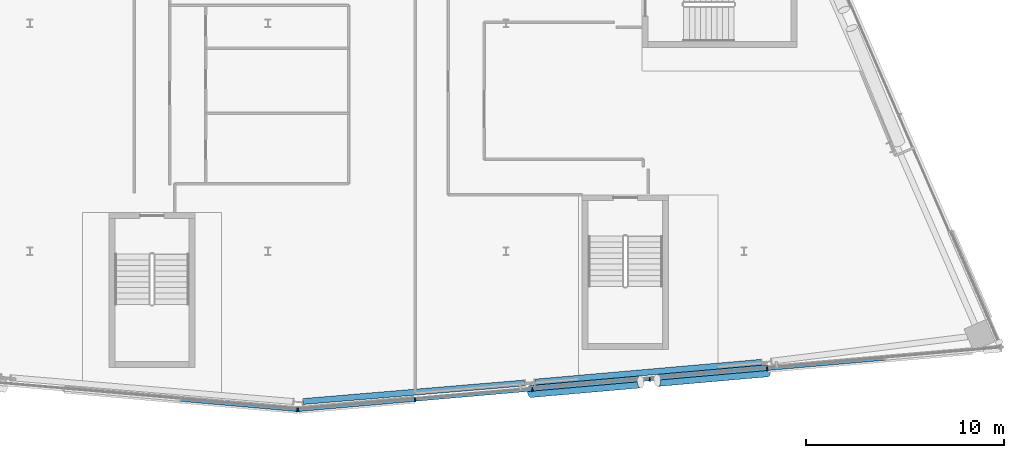
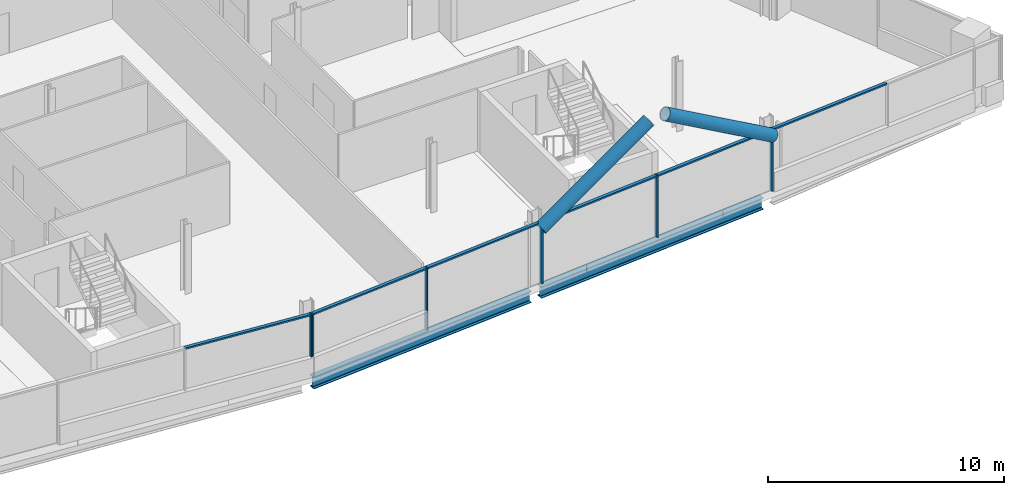
# One storey, part 8 of 25: 14 members, 2 beams, 2 elements without a shape of their own.
"""IFC4 building model written with IfcOpenShell, lengths in metres."""

from ifc_helpers import new_model, si_unit, direction, frame, origin, origin_2d, place, context, subcontext, project, spatial, rectangle, hollow_circle, i_section, extrude, material, material_profile, profile_set, type_object, element, aggregate, save


model = new_model("IFC4")

# Units and contexts
model_context = context("Model", 3, precision=1e-05, world=origin(), true_north=direction((0.0, 1.0)))
body_context = subcontext(model_context, "Body", "Model", "MODEL_VIEW")
ifc_project = project(units=[si_unit("LENGTHUNIT", "METRE"), si_unit("AREAUNIT", "SQUARE_METRE"), si_unit("VOLUMEUNIT", "CUBIC_METRE"), si_unit("PLANEANGLEUNIT", "RADIAN"), si_unit("MASSUNIT", "GRAM", prefix="KILO")], contexts=[model_context])

# Site, building, storey
site_placement = place(None, origin())
site = spatial("IfcSite", under=ifc_project, at=site_placement, CompositionType="ELEMENT")
building_placement = place(site_placement, origin())
building = spatial("IfcBuilding", under=site, at=building_placement, Name="Wharfspan Tower", CompositionType="ELEMENT")
storey_placement = place(building_placement, frame((0.0, 0.0, 239.5)))
storey = spatial("IfcBuildingStorey", under=building, at=storey_placement, Name="L60", CompositionType="ELEMENT", Elevation=239.5)

# Beams
ifc_material_1 = material(Name="Steel S355J2", Category="steel")
ifc_material_profile_1 = material_profile(ifc_material_1, i_section(OverallWidth=0.300049, OverallDepth=0.600098, WebThickness=0.015381, FlangeThickness=0.030029, FilletRadius=0.0271, at=origin_2d()))
ifc_profile_set_1 = profile_set([ifc_material_profile_1], Name="Steel S355J2")
beam_type = type_object("IfcBeamType", Name="Edge beam HEB 600", PredefinedType="SPANDREL", material=ifc_profile_set_1)
beam_1_placement = place(storey_placement, frame((49.783691, 3.923828, -0.699951), z_axis=(0.996517, 0.083395, 0.0), x_axis=(-0.083395, 0.996517, 0.0)))
element("IfcBeam", 1, at=beam_1_placement, inside=storey, type_object=beam_type, Name="Edge beam S2 L60 PS1.3 to PS2.1", PredefinedType="SPANDREL", context=body_context, shape_type="SweptSolid", body=[
    extrude(i_section(OverallWidth=0.300049, OverallDepth=0.600098, WebThickness=0.015381, FlangeThickness=0.030029, FilletRadius=0.0271, at=origin_2d()), origin(), (0.0, 0.0, 1.0), 11.200684),
])
beam_2_placement = place(storey_placement, frame((61.459473, 4.901855, -0.699951), z_axis=(0.996195, 0.087157, 0.0), x_axis=(-0.087157, 0.996195, 0.0)))
element("IfcBeam", 2, at=beam_2_placement, inside=storey, type_object=beam_type, Name="Edge beam S2 L60 PS2.1 to PS2.2", PredefinedType="SPANDREL", context=body_context, shape_type="SweptSolid", body=[
    extrude(i_section(OverallWidth=0.300049, OverallDepth=0.600098, WebThickness=0.015381, FlangeThickness=0.030029, FilletRadius=0.0271, at=origin_2d()), origin(), (0.0, 0.0, 1.0), 11.462402),
])

# Curtain wall, member
ifc_material_2 = material(Name="Aluminium 6063-T6", Category="aluminium")
curtain_wall_type = type_object("IfcCurtainWallType", Name="CURTAIN WALL FACETED FRONT", PredefinedType="NOTDEFINED", material=ifc_material_2)
curtain_wall_1_placement = place(storey_placement, origin())
curtain_wall_1 = element("IfcCurtainWall", 3, at=curtain_wall_1_placement, inside=storey, type_object=curtain_wall_type, Name="Curtain wall S1", PredefinedType="NOTDEFINED")
ifc_material_profile_2 = material_profile(ifc_material_2, rectangle(XDim=0.199951, YDim=0.060059, at=origin_2d()))
ifc_profile_set_2 = profile_set([ifc_material_profile_2], Name="Aluminium 6063-T6")
member_type_1 = type_object("IfcMemberType", Name="MULLION FACETED FRONT 60x200", PredefinedType="MULLION", material=ifc_profile_set_2)
member_1_placement = place(storey_placement, frame((49.470215, 3.496826, 1.0), z_axis=(0.0, 0.0, 1.0), x_axis=(0.087156, 0.996197, 0.0)))
member_1 = element("IfcMember", 4, at=member_1_placement, type_object=member_type_1, Name="Curtain wall S1 mullion 6", PredefinedType="MULLION", context=body_context, shape_type="SweptSolid", body=[
    extrude(rectangle(XDim=0.199951, YDim=0.060059, at=origin_2d()), origin(), (0.0, 0.0, 1.0), 2.199951),
])

# Curtain wall, members
curtain_wall_2_placement = place(storey_placement, origin())
curtain_wall_2 = element("IfcCurtainWall", 5, at=curtain_wall_2_placement, inside=storey, type_object=curtain_wall_type, Name="Curtain wall S2", PredefinedType="NOTDEFINED")
member_2_placement = place(storey_placement, frame((49.529785, 3.496826, 1.0), z_axis=(0.0, 0.0, 1.0), x_axis=(-0.087156, 0.996197, 0.0)))
member_2 = element("IfcMember", 6, at=member_2_placement, type_object=member_type_1, Name="Curtain wall S2 mullion 1", PredefinedType="MULLION", context=body_context, shape_type="SweptSolid", body=[
    extrude(rectangle(XDim=0.199951, YDim=0.060059, at=origin_2d()), origin(), (0.0, 0.0, 1.0), 2.199951),
])
member_3_placement = place(storey_placement, frame((55.416748, 4.011719, 0.0), z_axis=(0.0, 0.0, 1.0), x_axis=(-0.087156, 0.996197, 0.0)))
member_3 = element("IfcMember", 7, at=member_3_placement, type_object=member_type_1, Name="Curtain wall S2 mullion 2", PredefinedType="MULLION", context=body_context, shape_type="SweptSolid", body=[
    extrude(rectangle(XDim=0.199951, YDim=0.060059, at=origin_2d()), origin(), (0.0, 0.0, 1.0), 3.199951),
])
member_4_placement = place(storey_placement, frame((61.333252, 4.529541, 0.0), z_axis=(0.0, 0.0, 1.0), x_axis=(-0.087156, 0.996197, 0.0)))
member_4 = element("IfcMember", 8, at=member_4_placement, type_object=member_type_1, Name="Curtain wall S2 mullion 3", PredefinedType="MULLION", context=body_context, shape_type="SweptSolid", body=[
    extrude(rectangle(XDim=0.199951, YDim=0.060059, at=origin_2d()), origin(), (0.0, 0.0, 1.0), 3.199951),
])
member_5_placement = place(storey_placement, frame((67.25, 5.047119, 0.0), z_axis=(0.0, 0.0, 1.0), x_axis=(-0.087156, 0.996197, 0.0)))
member_5 = element("IfcMember", 9, at=member_5_placement, type_object=member_type_1, Name="Curtain wall S2 mullion 4", PredefinedType="MULLION", context=body_context, shape_type="SweptSolid", body=[
    extrude(rectangle(XDim=0.199951, YDim=0.060059, at=origin_2d()), origin(), (0.0, 0.0, 1.0), 3.199951),
])
member_6_placement = place(storey_placement, frame((73.166748, 5.564697, 0.0), z_axis=(0.0, 0.0, 1.0), x_axis=(-0.087156, 0.996197, 0.0)))
member_6 = element("IfcMember", 10, at=member_6_placement, type_object=member_type_1, Name="Curtain wall S2 mullion 5", PredefinedType="MULLION", context=body_context, shape_type="SweptSolid", body=[
    extrude(rectangle(XDim=0.199951, YDim=0.060059, at=origin_2d()), origin(), (0.0, 0.0, 1.0), 3.199951),
])

# Members
ifc_material_3 = material(Name="Steel S460NH", Category="steel")
ifc_material_profile_3 = material_profile(ifc_material_3, hollow_circle(Radius=0.304932, WallThickness=0.024902, at=origin_2d()))
ifc_profile_set_3 = profile_set([ifc_material_profile_3], Name="Steel S460NH")
member_type_2 = type_object("IfcMemberType", Name="Mega brace CHS 610x25", PredefinedType="BRACE", material=ifc_profile_set_3)
for number, where, z_axis, x_axis, name in (
    (11, (61.241943, 4.426025, 2.899902), (0.853829, 0.074698, 0.515166), (-0.087155, 0.996197, 3e-06), "Mega brace S2 L61 part 1"),
    (12, (73.175049, 5.469971, 2.899902), (-0.853829, -0.074698, 0.515166), (0.087155, -0.996197, 3e-06), "Mega brace S2 L61 part 3"),
):
    element("IfcMember", number, at=place(storey_placement, frame(where, z_axis=z_axis, x_axis=x_axis)), inside=storey, type_object=member_type_2, Name=name, PredefinedType="BRACE", context=body_context, shape_type="SweptSolid", body=[
        extrude(hollow_circle(Radius=0.304932, WallThickness=0.024902, at=origin_2d()), origin(), (0.0, 0.0, 1.0), 6.484375),
    ])

# Member
ifc_material_profile_4 = material_profile(ifc_material_2, rectangle(XDim=0.159912, YDim=0.080078, at=origin_2d()))
ifc_profile_set_4 = profile_set([ifc_material_profile_4], Name="Aluminium 6063-T6")
member_type_3 = type_object("IfcMemberType", Name="TRANSOM FACETED FRONT 80x160", PredefinedType="USERDEFINED", material=ifc_profile_set_4)
member_7_placement = place(storey_placement, frame((43.629883, 4.007812, 3.159912), z_axis=(0.996192, -0.087191, 0.0), x_axis=(0.087191, 0.996192, 0.0)))
member_7 = element("IfcMember", 13, at=member_7_placement, type_object=member_type_3, Name="Curtain wall S1 transom 5", ObjectType="TRANSOM", PredefinedType="USERDEFINED", context=body_context, shape_type="SweptSolid", body=[
    extrude(rectangle(XDim=0.159912, YDim=0.080078, at=origin_2d()), origin(), (0.0, 0.0, 1.0), 5.83252),
])

aggregate(curtain_wall_1, [member_1, member_7])

member_8_placement = place(storey_placement, frame((49.559814, 3.499268, 3.159912), z_axis=(0.996191, 0.087193, 0.0), x_axis=(-0.087193, 0.996191, 0.0)))
member_8 = element("IfcMember", 14, at=member_8_placement, type_object=member_type_3, Name="Curtain wall S2 transom 1", ObjectType="TRANSOM", PredefinedType="USERDEFINED", context=body_context, shape_type="SweptSolid", body=[
    extrude(rectangle(XDim=0.159912, YDim=0.080078, at=origin_2d()), origin(), (0.0, 0.0, 1.0), 5.849121),
])

member_9_placement = place(storey_placement, frame((55.446533, 4.014404, 3.159912), z_axis=(0.996194, 0.087162, 0.0), x_axis=(-0.087162, 0.996194, 0.0)))
member_9 = element("IfcMember", 15, at=member_9_placement, type_object=member_type_3, Name="Curtain wall S2 transom 2", ObjectType="TRANSOM", PredefinedType="USERDEFINED", context=body_context, shape_type="SweptSolid", body=[
    extrude(rectangle(XDim=0.159912, YDim=0.080078, at=origin_2d()), origin(), (0.0, 0.0, 1.0), 5.879395),
])

member_10_placement = place(storey_placement, frame((61.363281, 4.531982, 3.159912), z_axis=(0.996194, 0.087162, 0.0), x_axis=(-0.087162, 0.996194, 0.0)))
member_10 = element("IfcMember", 16, at=member_10_placement, type_object=member_type_3, Name="Curtain wall S2 transom 3", ObjectType="TRANSOM", PredefinedType="USERDEFINED", context=body_context, shape_type="SweptSolid", body=[
    extrude(rectangle(XDim=0.159912, YDim=0.080078, at=origin_2d()), origin(), (0.0, 0.0, 1.0), 5.879395),
])

member_11_placement = place(storey_placement, frame((67.279785, 5.049805, 3.159912), z_axis=(0.996198, 0.087121, 0.0), x_axis=(-0.087121, 0.996198, 0.0)))
member_11 = element("IfcMember", 17, at=member_11_placement, type_object=member_type_3, Name="Curtain wall S2 transom 4", ObjectType="TRANSOM", PredefinedType="USERDEFINED", context=body_context, shape_type="SweptSolid", body=[
    extrude(rectangle(XDim=0.159912, YDim=0.080078, at=origin_2d()), origin(), (0.0, 0.0, 1.0), 5.879395),
])

member_12_placement = place(storey_placement, frame((73.196533, 5.567383, 3.159912), z_axis=(0.996194, 0.087162, 0.0), x_axis=(-0.087162, 0.996194, 0.0)))
member_12 = element("IfcMember", 18, at=member_12_placement, type_object=member_type_3, Name="Curtain wall S2 transom 5", ObjectType="TRANSOM", PredefinedType="USERDEFINED", context=body_context, shape_type="SweptSolid", body=[
    extrude(rectangle(XDim=0.159912, YDim=0.080078, at=origin_2d()), origin(), (0.0, 0.0, 1.0), 5.879395),
])

aggregate(curtain_wall_2, [member_2, member_3, member_4, member_5, member_6, member_8, member_9, member_10, member_11, member_12])

save(model, "model.ifc")
